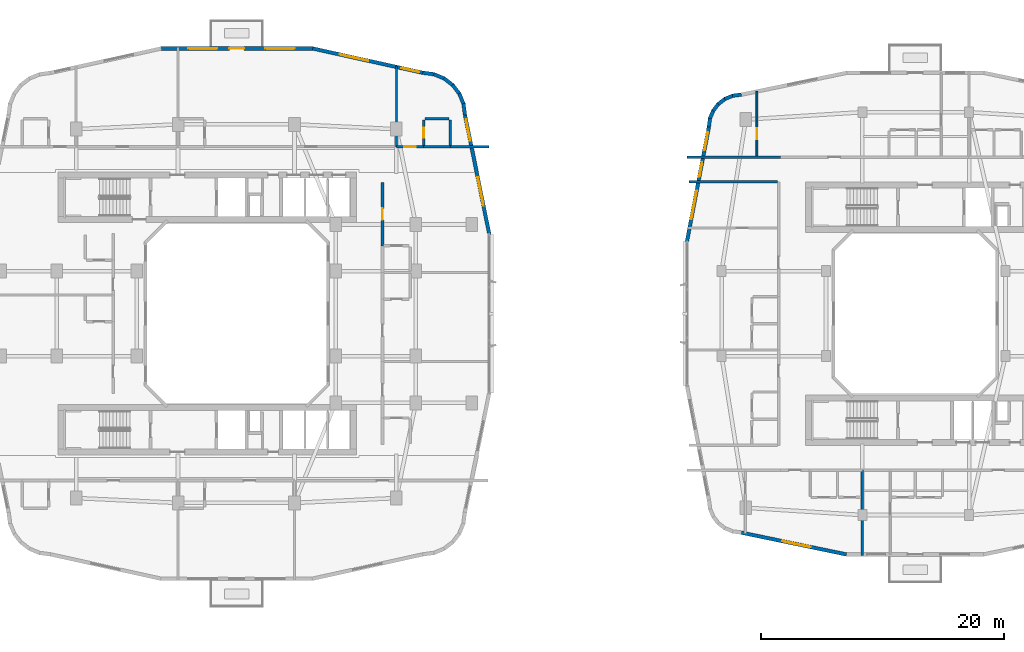
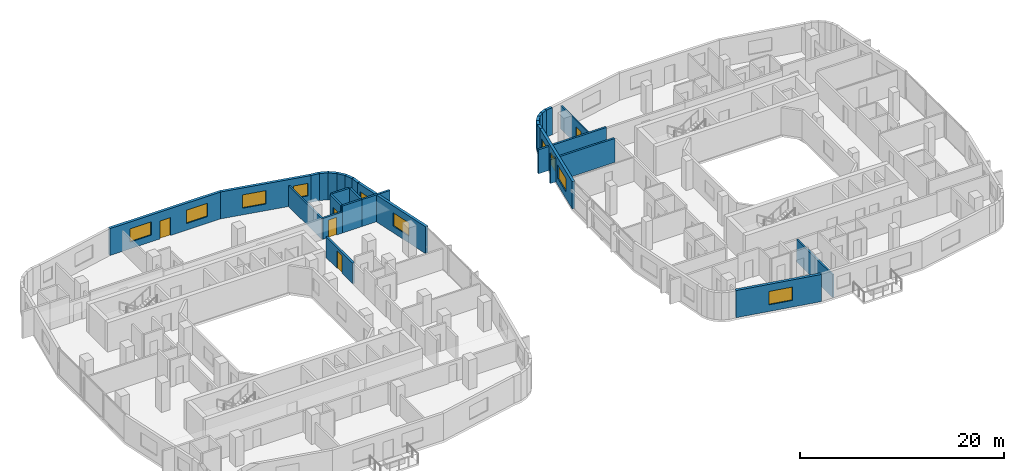
# One storey, part 12 of 22: 29 walls, 10 windows, 5 doors, 15 openings.
"""IFC4 building model written with IfcOpenShell, lengths in metres."""

from ifc_helpers import new_model, si_unit, derived_unit, direction, frame, frame_2d, origin, place, context, subcontext, project, spatial, rectangle, extrude, material, layer, layer_set, type_object, element, fill, save


model = new_model("IFC4")

# Units and contexts
model_context = context("Model", 3, precision=1e-05, world=origin(), true_north=direction((0.0, 1.0)))
body_context = subcontext(model_context, "Body", "Model", "MODEL_VIEW")
ifc_project = project(units=[si_unit("LENGTHUNIT", "METRE"), si_unit("AREAUNIT", "SQUARE_METRE"), si_unit("VOLUMEUNIT", "CUBIC_METRE"), si_unit("PLANEANGLEUNIT", "RADIAN"), si_unit("MASSUNIT", "GRAM", prefix="KILO"), derived_unit("THERMALTRANSMITTANCEUNIT", [(si_unit("POWERUNIT", "WATT"), 1), (si_unit("LENGTHUNIT", "METRE"), -2), (si_unit("THERMODYNAMICTEMPERATUREUNIT", "KELVIN"), -1)])], contexts=[model_context])

# Site, building, storey
site_placement = place(None, origin())
site = spatial("IfcSite", under=ifc_project, at=site_placement, CompositionType="ELEMENT")
building_placement = place(site_placement, origin())
building = spatial("IfcBuilding", under=site, at=building_placement, Name="Kivonza Crest Hotel", CompositionType="ELEMENT")
storey_placement = place(building_placement, frame((0.0, 0.0, 69.5)))
storey = spatial("IfcBuildingStorey", under=building, at=storey_placement, Name="L18", CompositionType="ELEMENT", Elevation=69.5)

# Walls
ifc_material_1 = material(Name="High-density acoustic masonry inter-tenancy wall", Category="masonry")
ifc_layer_1 = layer(ifc_material_1, 0.179931640625)
ifc_layer_set_1 = layer_set([ifc_layer_1], Name="High-density acoustic masonry inter-tenancy wall")
wall_type_1 = type_object("IfcWallType", Name="WL-ACOU-180", PredefinedType="SOLIDWALL", material=ifc_layer_set_1)
wall_1_placement = place(storey_placement, frame((34.199951171875, 38.75, 0.0), z_axis=(0.0, 0.0, 1.0), x_axis=(0.0, 1.0, 0.0)))
element("IfcWall", 1, at=wall_1_placement, inside=storey, type_object=wall_type_1, Name="L18 interior partition WA-L18-T1N-DIV3", PredefinedType="SOLIDWALL", context=body_context, shape_type="SweptSolid", body=[
    extrude(rectangle(XDim=6.674072265625, YDim=0.179931640625, at=frame_2d((3.3369140625, 0.0))), origin(), (0.0, 0.0, 1.0), 2.4951171875),
])
wall_2_placement = place(storey_placement, frame((72.60009765625, 5.06005859375, 0.0), z_axis=(0.0, 0.0, 1.0), x_axis=(0.0, 1.0, 0.0)))
element("IfcWall", 2, at=wall_2_placement, inside=storey, type_object=wall_type_1, Name="L18 interior partition WA-L18-T2S-DIV1", PredefinedType="SOLIDWALL", context=body_context, shape_type="SweptSolid", body=[
    extrude(rectangle(XDim=7.0400390625, YDim=0.179931640625, at=frame_2d((3.52001953125, 0.0))), origin(), (0.0, 0.0, 1.0), 2.72509765625),
])
ifc_material_2 = material(Name="Autoclaved aerated concrete blockwork", Category="masonry")
ifc_layer_2 = layer(ifc_material_2, 0.219970703125)
ifc_layer_set_2 = layer_set([ifc_layer_2], Name="Autoclaved aerated concrete blockwork")
wall_type_2 = type_object("IfcWallType", Name="WL-ACOU-220", PredefinedType="SOLIDWALL", material=ifc_layer_set_2)
wall_3_placement = place(storey_placement, frame((38.64990234375, 38.75, 0.0), z_axis=(0.0, 0.0, 1.0), x_axis=(1.0, 0.0, 0.0)))
element("IfcWall", 3, at=wall_3_placement, inside=storey, type_object=wall_type_2, Name="L18 interior partition WA-L18-N03-XCORR", PredefinedType="SOLIDWALL", context=body_context, shape_type="SweptSolid", body=[
    extrude(rectangle(XDim=3.190185546875, YDim=0.219970703125, at=frame_2d((1.59521484375, 0.0))), origin(), (0.0, 0.0, 1.0), 3.219970703125),
])
wall_4_placement = place(storey_placement, frame((36.449951171875, 38.75, 0.0), z_axis=(0.0, 0.0, 1.0), x_axis=(1.0, 0.0, 0.0)))
element("IfcWall", 4, at=wall_4_placement, inside=storey, type_object=wall_type_2, Name="L18 interior partition WA-L18-N03-BCORR", PredefinedType="SOLIDWALL", context=body_context, shape_type="SweptSolid", body=[
    extrude(rectangle(XDim=2.199951171875, YDim=0.219970703125, at=frame_2d((1.10009765625, 0.0))), origin(), (0.0, 0.0, 1.0), 3.219970703125),
])

# Wall, opening, door
wall_5_placement = place(storey_placement, frame((34.199951171875, 38.75, 0.0), z_axis=(0.0, 0.0, 1.0), x_axis=(1.0, 0.0, 0.0)))
wall_5 = element("IfcWall", 5, at=wall_5_placement, inside=storey, type_object=wall_type_2, Name="L18 interior partition WA-L18-N03-MCORR", PredefinedType="SOLIDWALL", context=body_context, shape_type="SweptSolid", body=[
    extrude(rectangle(XDim=2.25, YDim=0.219970703125, at=frame_2d((1.125, 0.0))), origin(), (0.0, 0.0, 1.0), 2.4951171875),
])
opening_1_placement = place(wall_5_placement, frame((0.6298828125, 0.0, 0.0)))
opening_1 = element("IfcOpeningElement", 6, at=opening_1_placement, cuts=wall_5, Name="Opening DU-60", PredefinedType="OPENING", context=body_context, shape_type="SweptSolid", body=[
    extrude(rectangle(XDim=0.949951171875, YDim=2.10009765625, at=frame_2d((0.47509765625, 1.050048828125))), frame((0.0, 0.1201171875, 0.0), z_axis=(0.0, -1.0, 0.0), x_axis=(1.0, 0.0, 0.0)), (0.0, 0.0, 1.0), 0.239990234375),
])
ifc_material_3 = material(Name="Hardwood timber oak", Category="wood")
door_type_1 = type_object("IfcDoorType", Name="DR-UNIT-950", OperationType="NOTDEFINED", PredefinedType="DOOR", material=ifc_material_3)
door_1_placement = place(opening_1_placement, origin())
door_1 = element("IfcDoor", 7, at=door_1_placement, inside=storey, type_object=door_type_1, Name="L18 N03 guest unit entrance fire door", OperationType="SINGLE_SWING_LEFT", OverallHeight=2.10009765625, OverallWidth=0.949951171875, PredefinedType="DOOR", context=body_context, shape_type="SweptSolid", body=[
    extrude(rectangle(XDim=0.949951171875, YDim=2.10009765625, at=frame_2d((0.47509765625, 1.050048828125))), frame((0.0, 0.02490234375, 0.0), z_axis=(0.0, -1.0, 0.0), x_axis=(1.0, 0.0, 0.0)), (0.0, 0.0, 1.0), 0.050048828125),
])
fill(opening_1, door_1)

wall_6_placement = place(storey_placement, frame((33.050048828125, 30.593017578125, 0.0), z_axis=(0.0, 0.0, 1.0), x_axis=(0.0, 1.0, 0.0)))
wall_6 = element("IfcWall", 8, at=wall_6_placement, inside=storey, type_object=wall_type_2, Name="L18 interior partition WA-L18-E10-MCORR", PredefinedType="SOLIDWALL", context=body_context, shape_type="SweptSolid", body=[
    extrude(rectangle(XDim=5.20703125, YDim=0.219970703125, at=frame_2d((2.603515625, 0.0))), origin(), (0.0, 0.0, 1.0), 2.4951171875),
])
opening_2_placement = place(wall_6_placement, frame((2.1279296875, 0.0, 0.0)))
opening_2 = element("IfcOpeningElement", 9, at=opening_2_placement, cuts=wall_6, Name="Opening DU-60", PredefinedType="OPENING", context=body_context, shape_type="SweptSolid", body=[
    extrude(rectangle(XDim=0.949951171875, YDim=2.10009765625, at=frame_2d((0.47509765625, 1.050048828125))), frame((0.0, 0.1201171875, 0.0), z_axis=(0.0, -1.0, 0.0), x_axis=(1.0, 0.0, 0.0)), (0.0, 0.0, 1.0), 0.239990234375),
])
door_2_placement = place(opening_2_placement, frame((0.949951171875, 0.0, 0.0), z_axis=(0.0, 0.0, 1.0), x_axis=(-1.0, 0.0, 0.0)))
door_2 = element("IfcDoor", 10, at=door_2_placement, inside=storey, type_object=door_type_1, Name="L18 E10 guest unit entrance fire door", OperationType="SINGLE_SWING_RIGHT", OverallHeight=2.10009765625, OverallWidth=0.949951171875, PredefinedType="DOOR", context=body_context, shape_type="SweptSolid", body=[
    extrude(rectangle(XDim=0.949951171875, YDim=2.10009765625, at=frame_2d((0.47509765625, 1.050048828125))), frame((0.0, 0.02490234375, 0.0), z_axis=(0.0, -1.0, 0.0), x_axis=(1.0, 0.0, 0.0)), (0.0, 0.0, 1.0), 0.050048828125),
])
fill(opening_2, door_2)

# Walls
wall_7_placement = place(storey_placement, frame((58.159912109375, 37.89990234375, 0.0), z_axis=(0.0, 0.0, 1.0), x_axis=(1.0, 0.0, 0.0)))
element("IfcWall", 11, at=wall_7_placement, inside=storey, type_object=wall_type_2, Name="L18 interior partition WA-L18-A01-LCORR", PredefinedType="SOLIDWALL", context=body_context, shape_type="SweptSolid", body=[
    extrude(rectangle(XDim=7.690185546875, YDim=0.219970703125, at=frame_2d((3.84521484375, 0.0))), origin(), (0.0, 0.0, 1.0), 2.864990234375),
])
wall_8_placement = place(storey_placement, frame((58.320068359375, 35.860107421875, 0.0), z_axis=(0.0, 0.0, 1.0), x_axis=(1.0, 0.0, 0.0)))
element("IfcWall", 12, at=wall_8_placement, inside=storey, type_object=wall_type_2, Name="L18 interior partition WA-L18-T2W-ENDN", PredefinedType="SOLIDWALL", context=body_context, shape_type="SweptSolid", body=[
    extrude(rectangle(XDim=7.280029296875, YDim=0.219970703125, at=frame_2d((3.64013671875, 0.0))), origin(), (0.0, 0.0, 1.0), 2.864990234375),
])

# Wall, openings, windows
ifc_material_4 = material(Name="Precast concrete C40/50", Category="concrete")
ifc_layer_3 = layer(ifc_material_4, 0.300048828125)
ifc_layer_set_3 = layer_set([ifc_layer_3], Name="Precast concrete C40/50")
wall_type_3 = type_object("IfcWallType", Name="WL-EXT-300", PredefinedType="STANDARD", material=ifc_layer_set_3)
wall_9_placement = place(storey_placement, frame((41.864013671875, 31.51611328125, 0.0), z_axis=(0.0, 0.0, 1.0), x_axis=(-0.199990901713, 0.979797754249, 0.0)))
wall_9 = element("IfcWall", 13, at=wall_9_placement, inside=storey, type_object=wall_type_3, Name="L18 T1 exterior insulated wall 18", PredefinedType="STANDARD", context=body_context, shape_type="SweptSolid", body=[
    extrude(rectangle(XDim=10.065185546875, YDim=0.300048828125, at=frame_2d((5.03271484375, 0.0))), origin(), (0.0, 0.0, 1.0), 3.219970703125),
])
opening_3_placement = place(wall_9_placement, frame((2.428955078125, 0.0, 0.800048828125)))
opening_3 = element("IfcOpeningElement", 14, at=opening_3_placement, cuts=wall_9, Name="Opening WN-05", PredefinedType="OPENING", context=body_context, shape_type="SweptSolid", body=[
    extrude(rectangle(XDim=2.39990234375, YDim=1.60009765625, at=frame_2d((1.199951171875, 0.800048828125))), frame((0.0, 0.16015625, 0.0), z_axis=(0.0, -1.0, 0.0), x_axis=(1.0, 0.0, 0.0)), (0.0, 0.0, 1.0), 0.320068359375),
])
opening_4_placement = place(wall_9_placement, frame((7.886962890625, 0.0, 0.85009765625)))
opening_4 = element("IfcOpeningElement", 15, at=opening_4_placement, cuts=wall_9, Name="Opening WN-03", PredefinedType="OPENING", context=body_context, shape_type="SweptSolid", body=[
    extrude(rectangle(XDim=1.800048828125, YDim=1.5, at=frame_2d((0.89990234375, 0.75))), frame((0.0, 0.16015625, 0.0), z_axis=(0.0, -1.0, 0.0), x_axis=(1.0, 0.0, 0.0)), (0.0, 0.0, 1.0), 0.320068359375),
])
ifc_material_5 = material(Name="Thermally broken bronze aluminium and low-E double glazing", Category="aluminium")
window_type_1 = type_object("IfcWindowType", Name="WN-180x150", PartitioningType="DOUBLE_PANEL_VERTICAL", PredefinedType="WINDOW", material=ifc_material_5)
window_1_placement = place(opening_4_placement, origin())
window_1 = element("IfcWindow", 16, at=window_1_placement, inside=storey, type_object=window_type_1, Name="L18 T1 facade window 18 bay 2", OverallHeight=1.5, OverallWidth=1.800048828125, PartitioningType="SINGLE_PANEL", PredefinedType="WINDOW", context=body_context, shape_type="SweptSolid", body=[
    extrude(rectangle(XDim=1.800048828125, YDim=1.5, at=frame_2d((0.89990234375, 0.75))), frame((0.0, 0.030029296875, 0.0), z_axis=(0.0, -1.0, 0.0), x_axis=(1.0, 0.0, 0.0)), (0.0, 0.0, 1.0), 0.06005859375),
])
fill(opening_4, window_1)
window_type_2 = type_object("IfcWindowType", Name="WN-240x160", PartitioningType="TRIPLE_PANEL_VERTICAL", PredefinedType="WINDOW", material=ifc_material_5)
window_2_placement = place(opening_3_placement, origin())
window_2 = element("IfcWindow", 17, at=window_2_placement, inside=storey, type_object=window_type_2, Name="L18 T1 facade window 18 bay 1", OverallHeight=1.60009765625, OverallWidth=2.39990234375, PartitioningType="SINGLE_PANEL", PredefinedType="WINDOW", context=body_context, shape_type="SweptSolid", body=[
    extrude(rectangle(XDim=2.39990234375, YDim=1.60009765625, at=frame_2d((1.199951171875, 0.800048828125))), frame((0.0, 0.030029296875, 0.0), z_axis=(0.0, -1.0, 0.0), x_axis=(1.0, 0.0, 0.0)), (0.0, 0.0, 1.0), 0.06005859375),
])
fill(opening_3, window_2)

# Walls
wall_10_placement = place(storey_placement, frame((39.85205078125, 41.3720703125, 0.0), z_axis=(0.0, 0.0, 1.0), x_axis=(-0.131174864804, 0.991359246108, 0.0)))
element("IfcWall", 18, at=wall_10_placement, inside=storey, type_object=wall_type_3, Name="L18 T1 exterior insulated wall 19", PredefinedType="STANDARD", context=body_context, shape_type="SweptSolid", body=[
    extrude(rectangle(XDim=0.93798828125, YDim=0.300048828125, at=frame_2d((0.468994140625, 0.0))), origin(), (0.0, 0.0, 1.0), 3.219970703125),
])
wall_11_placement = place(storey_placement, frame((39.748046875, 42.251953125, 0.0), z_axis=(0.0, 0.0, 1.0), x_axis=(-0.382344263057, 0.924019948111, 0.0)))
element("IfcWall", 19, at=wall_11_placement, inside=storey, type_object=wall_type_3, Name="L18 T1 exterior insulated wall 20", PredefinedType="STANDARD", context=body_context, shape_type="SweptSolid", body=[
    extrude(rectangle(XDim=0.95458984375, YDim=0.300048828125, at=frame_2d((0.477294921875, 0.0))), origin(), (0.0, 0.0, 1.0), 3.219970703125),
])
wall_12_placement = place(storey_placement, frame((39.4140625, 43.089111328125, 0.0), z_axis=(0.0, 0.0, 1.0), x_axis=(-0.608474481025, 0.793573440799, 0.0)))
element("IfcWall", 20, at=wall_12_placement, inside=storey, type_object=wall_type_3, Name="L18 T1 exterior insulated wall 21", PredefinedType="STANDARD", context=body_context, shape_type="SweptSolid", body=[
    extrude(rectangle(XDim=0.954833984375, YDim=0.300048828125, at=frame_2d((0.4775390625, 0.0))), origin(), (0.0, 0.0, 1.0), 3.219970703125),
])
wall_13_placement = place(storey_placement, frame((38.875, 43.81201171875, 0.0), z_axis=(0.0, 0.0, 1.0), x_axis=(-0.793668068435, 0.608351047625, 0.0)))
element("IfcWall", 21, at=wall_13_placement, inside=storey, type_object=wall_type_3, Name="L18 T1 exterior insulated wall 22", PredefinedType="STANDARD", context=body_context, shape_type="SweptSolid", body=[
    extrude(rectangle(XDim=0.955078125, YDim=0.300048828125, at=frame_2d((0.4775390625, 0.0))), origin(), (0.0, 0.0, 1.0), 3.219970703125),
])
wall_14_placement = place(storey_placement, frame((38.166015625, 44.368896484375, 0.0), z_axis=(0.0, 0.0, 1.0), x_axis=(-0.924019948111, 0.382344263057, 0.0)))
element("IfcWall", 22, at=wall_14_placement, inside=storey, type_object=wall_type_3, Name="L18 T1 exterior insulated wall 23", PredefinedType="STANDARD", context=body_context, shape_type="SweptSolid", body=[
    extrude(rectangle(XDim=0.95458984375, YDim=0.300048828125, at=frame_2d((0.477294921875, 0.0))), origin(), (0.0, 0.0, 1.0), 3.219970703125),
])
wall_15_placement = place(storey_placement, frame((37.3369140625, 44.72509765625, 0.0), z_axis=(0.0, 0.0, 1.0), x_axis=(-0.991454295543, 0.130454512571, 0.0)))
element("IfcWall", 23, at=wall_15_placement, inside=storey, type_object=wall_type_3, Name="L18 T1 exterior insulated wall 24", PredefinedType="STANDARD", context=body_context, shape_type="SweptSolid", body=[
    extrude(rectangle(XDim=0.97314453125, YDim=0.300048828125, at=frame_2d((0.486572265625, 0.0))), origin(), (0.0, 0.0, 1.0), 3.219970703125),
])

# Wall, openings, windows
wall_16_placement = place(storey_placement, frame((36.3759765625, 44.85205078125, 0.0), z_axis=(0.0, 0.0, 1.0), x_axis=(-0.976540764801, 0.215332614068, 0.0)))
wall_16 = element("IfcWall", 24, at=wall_16_placement, inside=storey, type_object=wall_type_3, Name="L18 T1 exterior insulated wall 25", PredefinedType="STANDARD", context=body_context, shape_type="SweptSolid", body=[
    extrude(rectangle(XDim=9.287841796875, YDim=0.300048828125, at=frame_2d((4.64404296875, 0.0))), origin(), (0.0, 0.0, 1.0), 3.219970703125),
])
opening_5_placement = place(wall_16_placement, frame((0.299072265625, 0.0, 0.85009765625)))
opening_5 = element("IfcOpeningElement", 25, at=opening_5_placement, cuts=wall_16, Name="Opening WN-02", PredefinedType="OPENING", context=body_context, shape_type="SweptSolid", body=[
    extrude(rectangle(XDim=1.5, YDim=1.5, at=frame_2d((0.75, 0.75))), frame((0.0, 0.16015625, 0.0), z_axis=(0.0, -1.0, 0.0), x_axis=(1.0, 0.0, 0.0)), (0.0, 0.0, 1.0), 0.320068359375),
])
opening_6_placement = place(wall_16_placement, frame((4.597900390625, 0.0, 0.800048828125)))
opening_6 = element("IfcOpeningElement", 26, at=opening_6_placement, cuts=wall_16, Name="Opening WN-05", PredefinedType="OPENING", context=body_context, shape_type="SweptSolid", body=[
    extrude(rectangle(XDim=2.39990234375, YDim=1.60009765625, at=frame_2d((1.199951171875, 0.800048828125))), frame((0.0, 0.16015625, 0.0), z_axis=(0.0, -1.0, 0.0), x_axis=(1.0, 0.0, 0.0)), (0.0, 0.0, 1.0), 0.320068359375),
])
window_type_3 = type_object("IfcWindowType", Name="WN-150x150", PartitioningType="DOUBLE_PANEL_VERTICAL", PredefinedType="WINDOW", material=ifc_material_5)
window_3_placement = place(opening_5_placement, origin())
window_3 = element("IfcWindow", 27, at=window_3_placement, inside=storey, type_object=window_type_3, Name="L18 T1 facade window 25 bay 1", OverallHeight=1.5, OverallWidth=1.5, PartitioningType="SINGLE_PANEL", PredefinedType="WINDOW", context=body_context, shape_type="SweptSolid", body=[
    extrude(rectangle(XDim=1.5, YDim=1.5, at=frame_2d((0.75, 0.75))), frame((0.0, 0.030029296875, 0.0), z_axis=(0.0, -1.0, 0.0), x_axis=(1.0, 0.0, 0.0)), (0.0, 0.0, 1.0), 0.06005859375),
])
fill(opening_5, window_3)
window_4_placement = place(opening_6_placement, origin())
window_4 = element("IfcWindow", 28, at=window_4_placement, inside=storey, type_object=window_type_2, Name="L18 T1 facade window 25 bay 2", OverallHeight=1.60009765625, OverallWidth=2.39990234375, PartitioningType="SINGLE_PANEL", PredefinedType="WINDOW", context=body_context, shape_type="SweptSolid", body=[
    extrude(rectangle(XDim=2.39990234375, YDim=1.60009765625, at=frame_2d((1.199951171875, 0.800048828125))), frame((0.0, 0.030029296875, 0.0), z_axis=(0.0, -1.0, 0.0), x_axis=(1.0, 0.0, 0.0)), (0.0, 0.0, 1.0), 0.06005859375),
])
fill(opening_6, window_4)

# Wall, openings, door, windows
wall_17_placement = place(storey_placement, frame((27.35302734375, 46.85009765625, 0.0), z_axis=(0.0, 0.0, 1.0), x_axis=(-1.0, 0.0, 0.0)))
wall_17 = element("IfcWall", 29, at=wall_17_placement, inside=storey, type_object=wall_type_3, Name="L18 T1 exterior insulated wall 26", PredefinedType="STANDARD", context=body_context, shape_type="SweptSolid", body=[
    extrude(rectangle(XDim=12.591064453125, YDim=0.300048828125, at=frame_2d((6.29541015625, 0.0))), origin(), (0.0, 0.0, 1.0), 3.219970703125),
])
opening_7_placement = place(wall_17_placement, frame((5.712890625, 0.0, 0.0)))
opening_7 = element("IfcOpeningElement", 30, at=opening_7_placement, cuts=wall_17, Name="Opening DT-120", PredefinedType="OPENING", context=body_context, shape_type="SweptSolid", body=[
    extrude(rectangle(XDim=1.199951171875, YDim=2.14990234375, at=frame_2d((0.60009765625, 1.074951171875))), frame((0.0, 0.16015625, 0.0), z_axis=(0.0, -1.0, 0.0), x_axis=(1.0, 0.0, 0.0)), (0.0, 0.0, 1.0), 0.320068359375),
])
opening_8_placement = place(wall_17_placement, frame((1.552001953125, 0.0, 0.800048828125)))
opening_8 = element("IfcOpeningElement", 31, at=opening_8_placement, cuts=wall_17, Name="Opening WN-05", PredefinedType="OPENING", context=body_context, shape_type="SweptSolid", body=[
    extrude(rectangle(XDim=2.39990234375, YDim=1.60009765625, at=frame_2d((1.199951171875, 0.800048828125))), frame((0.0, 0.16015625, 0.0), z_axis=(0.0, -1.0, 0.0), x_axis=(1.0, 0.0, 0.0)), (0.0, 0.0, 1.0), 0.320068359375),
])
opening_9_placement = place(wall_17_placement, frame((7.907958984375, 0.0, 0.800048828125)))
opening_9 = element("IfcOpeningElement", 32, at=opening_9_placement, cuts=wall_17, Name="Opening WN-05", PredefinedType="OPENING", context=body_context, shape_type="SweptSolid", body=[
    extrude(rectangle(XDim=2.39990234375, YDim=1.60009765625, at=frame_2d((1.199951171875, 0.800048828125))), frame((0.0, 0.16015625, 0.0), z_axis=(0.0, -1.0, 0.0), x_axis=(1.0, 0.0, 0.0)), (0.0, 0.0, 1.0), 0.320068359375),
])
ifc_material_6 = material(Name="Anodised bronze aluminium and laminated safety glass", Category="aluminium")
door_type_2 = type_object("IfcDoorType", Name="DR-TERR-1200", OperationType="NOTDEFINED", PredefinedType="DOOR", material=ifc_material_6)
door_3_placement = place(opening_7_placement, frame((1.199951171875, 0.0, 0.0), z_axis=(0.0, 0.0, 1.0), x_axis=(-1.0, 0.0, 0.0)))
door_3 = element("IfcDoor", 33, at=door_3_placement, inside=storey, type_object=door_type_2, Name="T1 L18 NE sky-garden bridge access door", OperationType="SINGLE_SWING_LEFT", OverallHeight=2.14990234375, OverallWidth=1.199951171875, PredefinedType="DOOR", context=body_context, shape_type="SweptSolid", body=[
    extrude(rectangle(XDim=1.199951171875, YDim=2.14990234375, at=frame_2d((0.60009765625, 1.074951171875))), frame((0.0, 0.02490234375, 0.0), z_axis=(0.0, -1.0, 0.0), x_axis=(1.0, 0.0, 0.0)), (0.0, 0.0, 1.0), 0.050048828125),
])
fill(opening_7, door_3)
window_5_placement = place(opening_8_placement, origin())
window_5 = element("IfcWindow", 34, at=window_5_placement, inside=storey, type_object=window_type_2, Name="L18 T1 facade window 26 bay 1", OverallHeight=1.60009765625, OverallWidth=2.39990234375, PartitioningType="SINGLE_PANEL", PredefinedType="WINDOW", context=body_context, shape_type="SweptSolid", body=[
    extrude(rectangle(XDim=2.39990234375, YDim=1.60009765625, at=frame_2d((1.199951171875, 0.800048828125))), frame((0.0, 0.030029296875, 0.0), z_axis=(0.0, -1.0, 0.0), x_axis=(1.0, 0.0, 0.0)), (0.0, 0.0, 1.0), 0.06005859375),
])
fill(opening_8, window_5)
window_6_placement = place(opening_9_placement, origin())
window_6 = element("IfcWindow", 35, at=window_6_placement, inside=storey, type_object=window_type_2, Name="L18 T1 facade window 26 bay 2", OverallHeight=1.60009765625, OverallWidth=2.39990234375, PartitioningType="SINGLE_PANEL", PredefinedType="WINDOW", context=body_context, shape_type="SweptSolid", body=[
    extrude(rectangle(XDim=2.39990234375, YDim=1.60009765625, at=frame_2d((1.199951171875, 0.800048828125))), frame((0.0, 0.030029296875, 0.0), z_axis=(0.0, -1.0, 0.0), x_axis=(1.0, 0.0, 0.0)), (0.0, 0.0, 1.0), 0.06005859375),
])
fill(opening_9, window_6)

# Wall, opening, window
wall_18_placement = place(storey_placement, frame((62.6220703125, 6.948974609375, 0.0), z_axis=(0.0, 0.0, 1.0), x_axis=(0.979119654102, -0.203284782882, 0.0)))
wall_18 = element("IfcWall", 36, at=wall_18_placement, inside=storey, type_object=wall_type_3, Name="L18 T2 exterior insulated wall 7", PredefinedType="STANDARD", context=body_context, shape_type="SweptSolid", body=[
    extrude(rectangle(XDim=8.854736328125, YDim=0.300048828125, at=frame_2d((4.42724609375, 0.0))), origin(), (0.0, 0.0, 1.0), 3.25),
])
opening_10_placement = place(wall_18_placement, frame((3.43896484375, 0.0, 0.800048828125)))
opening_10 = element("IfcOpeningElement", 37, at=opening_10_placement, cuts=wall_18, Name="Opening WN-05", PredefinedType="OPENING", context=body_context, shape_type="SweptSolid", body=[
    extrude(rectangle(XDim=2.39990234375, YDim=1.60009765625, at=frame_2d((1.199951171875, 0.800048828125))), frame((0.0, 0.16015625, 0.0), z_axis=(0.0, -1.0, 0.0), x_axis=(1.0, 0.0, 0.0)), (0.0, 0.0, 1.0), 0.320068359375),
])
window_7_placement = place(opening_10_placement, origin())
window_7 = element("IfcWindow", 38, at=window_7_placement, inside=storey, type_object=window_type_2, Name="L18 T2 facade window 7", OverallHeight=1.60009765625, OverallWidth=2.39990234375, PartitioningType="SINGLE_PANEL", PredefinedType="WINDOW", context=body_context, shape_type="SweptSolid", body=[
    extrude(rectangle(XDim=2.39990234375, YDim=1.60009765625, at=frame_2d((1.199951171875, 0.800048828125))), frame((0.0, 0.030029296875, 0.0), z_axis=(0.0, -1.0, 0.0), x_axis=(1.0, 0.0, 0.0)), (0.0, 0.0, 1.0), 0.06005859375),
])
fill(opening_10, window_7)

# Walls
wall_19_placement = place(storey_placement, frame((62.626953125, 43.052001953125, 0.0), z_axis=(0.0, 0.0, 1.0), x_axis=(-0.991480488834, -0.130255288807, 0.0)))
element("IfcWall", 39, at=wall_19_placement, inside=storey, type_object=wall_type_3, Name="L18 T2 exterior insulated wall 28", PredefinedType="STANDARD", context=body_context, shape_type="SweptSolid", body=[
    extrude(rectangle(XDim=0.72900390625, YDim=0.300048828125, at=frame_2d((0.364501953125, 0.0))), origin(), (0.0, 0.0, 1.0), 3.25),
])
for number, where, z_axis, x_axis, name in (
    (40, (61.955078125, 42.97607421875, 0.0), (0.0, 0.0, 1.0), (-0.923521684703, -0.383546213491, 0.0), "L18 T2 exterior insulated wall 29"),
    (41, (61.31103515625, 42.720947265625, 0.0), (0.0, 0.0, 1.0), (-0.79363269798, -0.608397189915, 0.0), "L18 T2 exterior insulated wall 30"),
    (42, (60.75390625, 42.30908203125, 0.0), (0.0, 0.0, 1.0), (-0.608397189915, -0.79363269798, 0.0), "L18 T2 exterior insulated wall 31"),
    (43, (60.323974609375, 41.76611328125, 0.0), (0.0, 0.0, 1.0), (-0.383151213466, -0.923685632463, 0.0), "L18 T2 exterior insulated wall 32"),
):
    element("IfcWall", number, at=place(storey_placement, frame(where, z_axis=z_axis, x_axis=x_axis)), inside=storey, type_object=wall_type_3, Name=name, PredefinedType="STANDARD", context=body_context, shape_type="SweptSolid", body=[
        extrude(rectangle(XDim=0.74609375, YDim=0.300048828125, at=frame_2d((0.373046875, 0.0))), origin(), (0.0, 0.0, 1.0), 3.25),
    ])
wall_20_placement = place(storey_placement, frame((60.047119140625, 41.131103515625, 0.0), z_axis=(0.0, 0.0, 1.0), x_axis=(-0.129653178221, -0.991559404866, 0.0)))
element("IfcWall", 44, at=wall_20_placement, inside=storey, type_object=wall_type_3, Name="L18 T2 exterior insulated wall 33", PredefinedType="STANDARD", context=body_context, shape_type="SweptSolid", body=[
    extrude(rectangle(XDim=0.764404296875, YDim=0.300048828125, at=frame_2d((0.38232421875, 0.0))), origin(), (0.0, 0.0, 1.0), 3.25),
])

# Wall, openings, windows
wall_21_placement = place(storey_placement, frame((59.948974609375, 40.3798828125, 0.0), z_axis=(0.0, 0.0, 1.0), x_axis=(-0.188087874316, -0.982152203854, 0.0)))
wall_21 = element("IfcWall", 45, at=wall_21_placement, inside=storey, type_object=wall_type_3, Name="L18 T2 exterior insulated wall 34", PredefinedType="STANDARD", context=body_context, shape_type="SweptSolid", body=[
    extrude(rectangle(XDim=9.6337890625, YDim=0.300048828125, at=frame_2d((4.81689453125, 0.0))), origin(), (0.0, 0.0, 1.0), 3.25),
])
opening_11_placement = place(wall_21_placement, frame((0.451904296875, 0.0, 0.85009765625)))
opening_11 = element("IfcOpeningElement", 46, at=opening_11_placement, cuts=wall_21, Name="Opening WN-02", PredefinedType="OPENING", context=body_context, shape_type="SweptSolid", body=[
    extrude(rectangle(XDim=1.5, YDim=1.5, at=frame_2d((0.75, 0.75))), frame((0.0, 0.16015625, 0.0), z_axis=(0.0, -1.0, 0.0), x_axis=(1.0, 0.0, 0.0)), (0.0, 0.0, 1.0), 0.320068359375),
])
opening_12_placement = place(wall_21_placement, frame((2.964111328125, 0.0, 0.85009765625)))
opening_12 = element("IfcOpeningElement", 47, at=opening_12_placement, cuts=wall_21, Name="Opening WN-01", PredefinedType="OPENING", context=body_context, shape_type="SweptSolid", body=[
    extrude(rectangle(XDim=1.199951171875, YDim=1.5, at=frame_2d((0.60009765625, 0.75))), frame((0.0, 0.16015625, 0.0), z_axis=(0.0, -1.0, 0.0), x_axis=(1.0, 0.0, 0.0)), (0.0, 0.0, 1.0), 0.320068359375),
])
opening_13_placement = place(wall_21_placement, frame((5.3369140625, 0.0, 0.800048828125)))
opening_13 = element("IfcOpeningElement", 48, at=opening_13_placement, cuts=wall_21, Name="Opening WN-05", PredefinedType="OPENING", context=body_context, shape_type="SweptSolid", body=[
    extrude(rectangle(XDim=2.39990234375, YDim=1.60009765625, at=frame_2d((1.199951171875, 0.800048828125))), frame((0.0, 0.16015625, 0.0), z_axis=(0.0, -1.0, 0.0), x_axis=(1.0, 0.0, 0.0)), (0.0, 0.0, 1.0), 0.320068359375),
])
window_type_4 = type_object("IfcWindowType", Name="WN-120x150", PartitioningType="SINGLE_PANEL", PredefinedType="WINDOW", material=ifc_material_5)
window_8_placement = place(opening_12_placement, origin())
window_8 = element("IfcWindow", 49, at=window_8_placement, inside=storey, type_object=window_type_4, Name="L18 T2 facade window 34 bay 2", OverallHeight=1.5, OverallWidth=1.199951171875, PartitioningType="SINGLE_PANEL", PredefinedType="WINDOW", context=body_context, shape_type="SweptSolid", body=[
    extrude(rectangle(XDim=1.199951171875, YDim=1.5, at=frame_2d((0.60009765625, 0.75))), frame((0.0, 0.030029296875, 0.0), z_axis=(0.0, -1.0, 0.0), x_axis=(1.0, 0.0, 0.0)), (0.0, 0.0, 1.0), 0.06005859375),
])
fill(opening_12, window_8)
window_9_placement = place(opening_11_placement, origin())
window_9 = element("IfcWindow", 50, at=window_9_placement, inside=storey, type_object=window_type_3, Name="L18 T2 facade window 34 bay 1", OverallHeight=1.5, OverallWidth=1.5, PartitioningType="SINGLE_PANEL", PredefinedType="WINDOW", context=body_context, shape_type="SweptSolid", body=[
    extrude(rectangle(XDim=1.5, YDim=1.5, at=frame_2d((0.75, 0.75))), frame((0.0, 0.030029296875, 0.0), z_axis=(0.0, -1.0, 0.0), x_axis=(1.0, 0.0, 0.0)), (0.0, 0.0, 1.0), 0.06005859375),
])
fill(opening_11, window_9)
window_10_placement = place(opening_13_placement, origin())
window_10 = element("IfcWindow", 51, at=window_10_placement, inside=storey, type_object=window_type_2, Name="L18 T2 facade window 34 bay 3", OverallHeight=1.60009765625, OverallWidth=2.39990234375, PartitioningType="SINGLE_PANEL", PredefinedType="WINDOW", context=body_context, shape_type="SweptSolid", body=[
    extrude(rectangle(XDim=2.39990234375, YDim=1.60009765625, at=frame_2d((1.199951171875, 0.800048828125))), frame((0.0, 0.030029296875, 0.0), z_axis=(0.0, -1.0, 0.0), x_axis=(1.0, 0.0, 0.0)), (0.0, 0.0, 1.0), 0.06005859375),
])
fill(opening_13, window_10)

# Wall, opening, door
ifc_material_7 = material(Name="Twin-stud acoustic gypsum board partition", Category="gypsum")
ifc_layer_4 = layer(ifc_material_7, 0.14990234375)
ifc_layer_set_4 = layer_set([ifc_layer_4], Name="Twin-stud acoustic gypsum board partition")
wall_type_4 = type_object("IfcWallType", Name="WL-PART-150", PredefinedType="PARTITIONING", material=ifc_layer_set_4)
wall_22_placement = place(storey_placement, frame((63.909912109375, 38.0, 0.0), z_axis=(0.0, 0.0, 1.0), x_axis=(0.0, 1.0, 0.0)))
wall_22 = element("IfcWall", 52, at=wall_22_placement, inside=storey, type_object=wall_type_4, Name="L18 interior partition WP-L18-A01-BDW1", PredefinedType="PARTITIONING", context=body_context, shape_type="SweptSolid", body=[
    extrude(rectangle(XDim=5.31103515625, YDim=0.14990234375, at=frame_2d((2.655517578125, 0.0))), origin(), (0.0, 0.0, 1.0), 2.864990234375),
])
opening_14_placement = place(wall_22_placement, frame((1.3798828125, 0.0, 0.0)))
opening_14 = element("IfcOpeningElement", 53, at=opening_14_placement, cuts=wall_22, Name="Opening DI-90", PredefinedType="OPENING", context=body_context, shape_type="SweptSolid", body=[
    extrude(rectangle(XDim=0.89990234375, YDim=2.10009765625, at=frame_2d((0.449951171875, 1.050048828125))), frame((0.0, 0.0849609375, 0.0), z_axis=(0.0, -1.0, 0.0), x_axis=(1.0, 0.0, 0.0)), (0.0, 0.0, 1.0), 0.169921875),
])
door_type_3 = type_object("IfcDoorType", Name="DR-INT-900", OperationType="NOTDEFINED", PredefinedType="DOOR", material=ifc_material_3)
door_4_placement = place(opening_14_placement, origin())
door_4 = element("IfcDoor", 54, at=door_4_placement, inside=storey, type_object=door_type_3, Name="L18 A01 bedroom 1 door", OperationType="SINGLE_SWING_RIGHT", OverallHeight=2.10009765625, OverallWidth=0.89990234375, PredefinedType="DOOR", context=body_context, shape_type="SweptSolid", body=[
    extrude(rectangle(XDim=0.89990234375, YDim=2.10009765625, at=frame_2d((0.449951171875, 1.050048828125))), frame((0.0, 0.02490234375, 0.0), z_axis=(0.0, -1.0, 0.0), x_axis=(1.0, 0.0, 0.0)), (0.0, 0.0, 1.0), 0.050048828125),
])
fill(opening_14, door_4)

ifc_material_8 = material(Name="Moisture-resistant plumbing chase partition wall", Category="gypsum")
ifc_layer_5 = layer(ifc_material_8, 0.199951171875)
ifc_layer_set_5 = layer_set([ifc_layer_5], Name="Moisture-resistant plumbing chase partition wall")
wall_type_5 = type_object("IfcWallType", Name="WL-PLUMB-200", PredefinedType="PLUMBINGWALL", material=ifc_layer_set_5)
wall_23_placement = place(storey_placement, frame((36.449951171875, 38.85009765625, 0.0), z_axis=(0.0, 0.0, 1.0), x_axis=(0.0, 1.0, 0.0)))
wall_23 = element("IfcWall", 55, at=wall_23_placement, inside=storey, type_object=wall_type_5, Name="L18 interior partition WW-L18-N03-BV", PredefinedType="PLUMBINGWALL", context=body_context, shape_type="SweptSolid", body=[
    extrude(rectangle(XDim=2.099853515625, YDim=0.199951171875, at=frame_2d((1.0498046875, 0.0))), origin(), (0.0, 0.0, 1.0), 3.219970703125),
])
opening_15_placement = place(wall_23_placement, frame((0.625, 0.0, 0.0)))
opening_15 = element("IfcOpeningElement", 56, at=opening_15_placement, cuts=wall_23, Name="Opening DI-85", PredefinedType="OPENING", context=body_context, shape_type="SweptSolid", body=[
    extrude(rectangle(XDim=0.85009765625, YDim=2.10009765625, at=frame_2d((0.425048828125, 1.050048828125))), frame((0.0, 0.10986328125, 0.0), z_axis=(0.0, -1.0, 0.0), x_axis=(1.0, 0.0, 0.0)), (0.0, 0.0, 1.0), 0.219970703125),
])
door_type_4 = type_object("IfcDoorType", Name="DR-INT-850", OperationType="NOTDEFINED", PredefinedType="DOOR", material=ifc_material_3)
door_5_placement = place(opening_15_placement, origin())
door_5 = element("IfcDoor", 57, at=door_5_placement, inside=storey, type_object=door_type_4, Name="L18 N03 en-suite bathroom door", OperationType="SINGLE_SWING_RIGHT", OverallHeight=2.10009765625, OverallWidth=0.85009765625, PredefinedType="DOOR", context=body_context, shape_type="SweptSolid", body=[
    extrude(rectangle(XDim=0.85009765625, YDim=2.10009765625, at=frame_2d((0.425048828125, 1.050048828125))), frame((0.0, 0.02490234375, 0.0), z_axis=(0.0, -1.0, 0.0), x_axis=(1.0, 0.0, 0.0)), (0.0, 0.0, 1.0), 0.050048828125),
])
fill(opening_15, door_5)

# Walls
wall_24_placement = place(storey_placement, frame((36.550048828125, 41.050048828125, 0.0), z_axis=(0.0, 0.0, 1.0), x_axis=(1.0, 0.0, 0.0)))
element("IfcWall", 58, at=wall_24_placement, inside=storey, type_object=wall_type_5, Name="L18 interior partition WW-L18-N03-BH", PredefinedType="PLUMBINGWALL", context=body_context, shape_type="SweptSolid", body=[
    extrude(rectangle(XDim=2.0, YDim=0.199951171875, at=frame_2d((1.0, 0.0))), origin(), (0.0, 0.0, 1.0), 3.219970703125),
])
wall_25_placement = place(storey_placement, frame((38.64990234375, 38.85009765625, 0.0), z_axis=(0.0, 0.0, 1.0), x_axis=(0.0, 1.0, 0.0)))
element("IfcWall", 59, at=wall_25_placement, inside=storey, type_object=wall_type_5, Name="L18 interior partition WW-L18-N03-BVE", PredefinedType="PLUMBINGWALL", context=body_context, shape_type="SweptSolid", body=[
    extrude(rectangle(XDim=2.099853515625, YDim=0.199951171875, at=frame_2d((1.0498046875, 0.0))), origin(), (0.0, 0.0, 1.0), 3.219970703125),
])

save(model, "model.ifc")
